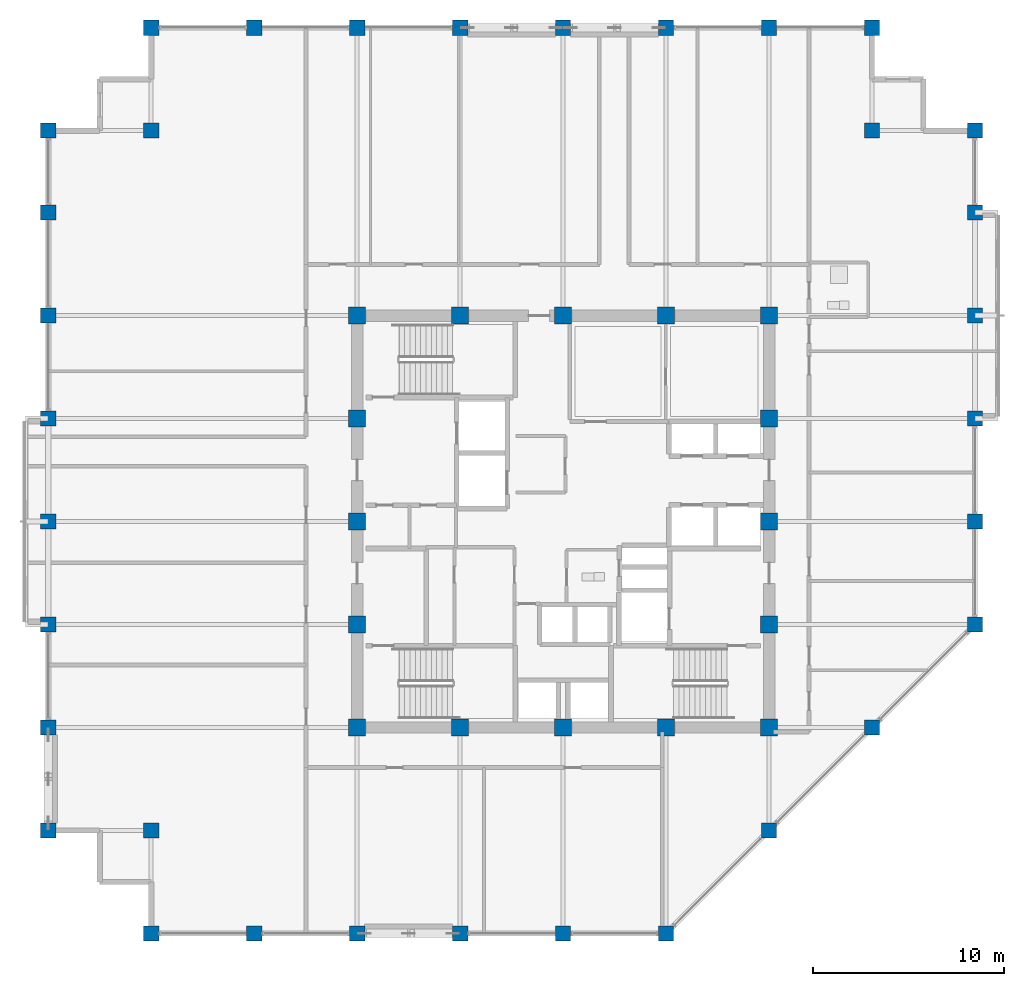
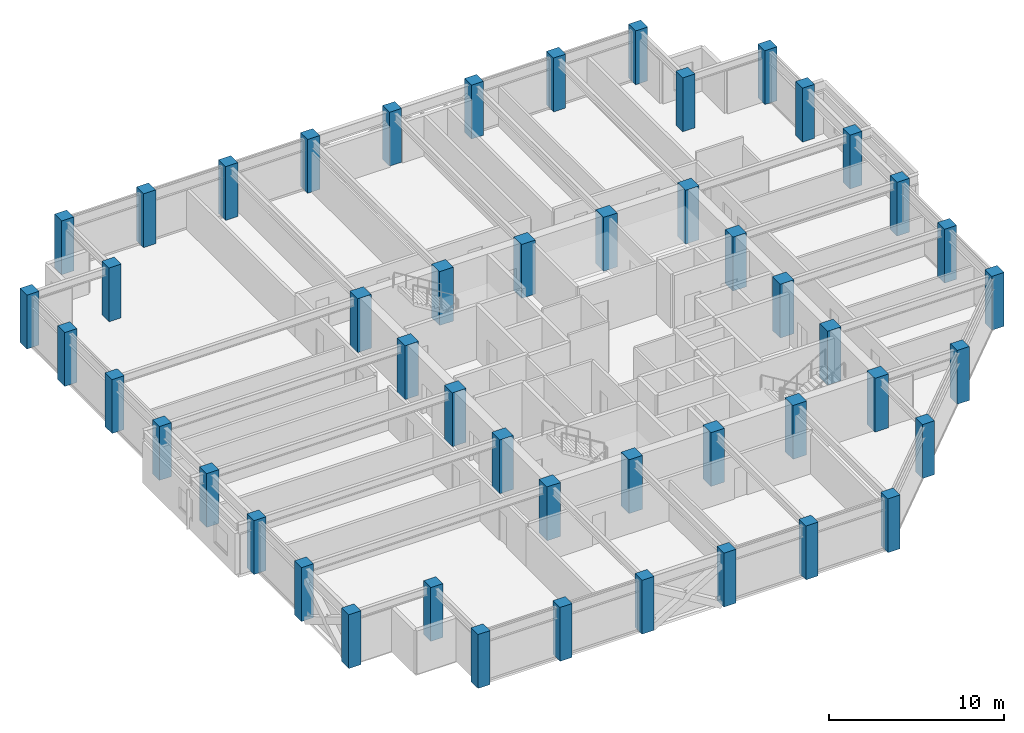
# One storey, part 1 of 30: 49 columns.
"""IFC4 building model written with IfcOpenShell, lengths in metres."""

from ifc_helpers import new_model, si_unit, direction, frame, origin, origin_2d, place, context, subcontext, project, spatial, rectangle, extrude, material, material_profile, profile_set, type_object, element, save


model = new_model("IFC4")

# Units and contexts
model_context = context("Model", 3, precision=1e-05, world=origin(), true_north=direction((0.0, 1.0)))
body_context = subcontext(model_context, "Body", "Model", "MODEL_VIEW")
ifc_project = project(units=[si_unit("LENGTHUNIT", "METRE"), si_unit("AREAUNIT", "SQUARE_METRE"), si_unit("VOLUMEUNIT", "CUBIC_METRE"), si_unit("PLANEANGLEUNIT", "RADIAN"), si_unit("MASSUNIT", "GRAM", prefix="KILO")], contexts=[model_context])

# Site, building, storey
site_placement = place(None, origin())
site = spatial("IfcSite", under=ifc_project, at=site_placement, CompositionType="ELEMENT")
building_placement = place(site_placement, origin())
building = spatial("IfcBuilding", under=site, at=building_placement, Name="Surkhivell Harbour Commons", CompositionType="ELEMENT")
storey_placement = place(building_placement, frame((0.0, 0.0, 227.25)))
storey = spatial("IfcBuildingStorey", under=building, at=storey_placement, Name="L59", CompositionType="ELEMENT", Elevation=227.25)

# Columns
ifc_material_1 = material(Name="Concrete C60/75", Category="concrete")
ifc_material_profile_1 = material_profile(ifc_material_1, rectangle(XDim=0.89990234375, YDim=0.89990234375, at=origin_2d()), Name="RC-COL-900x900")
ifc_profile_set_1 = profile_set([ifc_material_profile_1], Name="Concrete C60/75")
column_type_1 = type_object("IfcColumnType", Name="COL-TUBE-Z3A", PredefinedType="COLUMN", material=ifc_profile_set_1)
for number, where, z_axis, x_axis, name in (
    (1, (-10.800048828125, -10.800048828125, 0.0), (0.0, 0.0, 1.0), (1.0, 0.0, 0.0), "L59 Column CT-3A (-10.8,-10.8)"),
    (2, (-10.800048828125, -5.39990234375, 0.0), (0.0, 0.0, 1.0), (1.0, 0.0, 0.0), "L59 Column CT-3A (-10.8,-5.4)"),
    (3, (-10.800048828125, 0.0, 0.0), (0.0, 0.0, 1.0), (1.0, 0.0, 0.0), "L59 Column CT-3A (-10.8,0.0)"),
    (4, (-10.800048828125, 5.39990234375, 0.0), (0.0, 0.0, 1.0), (1.0, 0.0, 0.0), "L59 Column CT-3A (-10.8,5.4)"),
    (5, (-10.800048828125, 10.800048828125, 0.0), (0.0, 0.0, 1.0), (1.0, 0.0, 0.0), "L59 Column CT-3A (-10.8,10.8)"),
    (6, (-5.39990234375, -10.800048828125, 0.0), (0.0, 0.0, 1.0), (1.0, 0.0, 0.0), "L59 Column CT-3A (-5.4,-10.8)"),
    (7, (-5.39990234375, 10.800048828125, 0.0), (0.0, 0.0, 1.0), (1.0, 0.0, 0.0), "L59 Column CT-3A (-5.4,10.8)"),
    (8, (0.0, -10.800048828125, 0.0), (0.0, 0.0, 1.0), (1.0, 0.0, 0.0), "L59 Column CT-3A (0.0,-10.8)"),
    (9, (0.0, 10.800048828125, 0.0), (0.0, 0.0, 1.0), (1.0, 0.0, 0.0), "L59 Column CT-3A (0.0,10.8)"),
    (10, (5.39990234375, -10.800048828125, 0.0), (0.0, 0.0, 1.0), (1.0, 0.0, 0.0), "L59 Column CT-3A (5.4,-10.8)"),
    (11, (5.39990234375, 10.800048828125, 0.0), (0.0, 0.0, 1.0), (1.0, 0.0, 0.0), "L59 Column CT-3A (5.4,10.8)"),
    (12, (10.800048828125, -10.800048828125, 0.0), (0.0, 0.0, 1.0), (1.0, 0.0, 0.0), "L59 Column CT-3A (10.8,-10.8)"),
    (13, (10.800048828125, -5.39990234375, 0.0), (0.0, 0.0, 1.0), (1.0, 0.0, 0.0), "L59 Column CT-3A (10.8,-5.4)"),
    (14, (10.800048828125, 0.0, 0.0), (0.0, 0.0, 1.0), (1.0, 0.0, 0.0), "L59 Column CT-3A (10.8,0.0)"),
    (15, (10.800048828125, 5.39990234375, 0.0), (0.0, 0.0, 1.0), (1.0, 0.0, 0.0), "L59 Column CT-3A (10.8,5.4)"),
    (16, (10.800048828125, 10.800048828125, 0.0), (0.0, 0.0, 1.0), (1.0, 0.0, 0.0), "L59 Column CT-3A (10.8,10.8)"),
):
    element("IfcColumn", number, at=place(storey_placement, frame(where, z_axis=z_axis, x_axis=x_axis)), inside=storey, type_object=column_type_1, Name=name, PredefinedType="COLUMN", context=body_context, shape_type="SweptSolid", body=[
        extrude(rectangle(XDim=0.89990234375, YDim=0.89990234375, at=origin_2d()), origin(), (0.0, 0.0, 1.0), 3.75),
    ])
ifc_material_2 = material(Name="Concrete C50/60", Category="concrete")
ifc_material_profile_2 = material_profile(ifc_material_2, rectangle(XDim=0.800048828125, YDim=0.800048828125, at=origin_2d()), Name="RC-COL-800x800")
ifc_profile_set_2 = profile_set([ifc_material_profile_2], Name="Concrete C50/60")
column_type_2 = type_object("IfcColumnType", Name="COL-TUBE-Z3B", PredefinedType="COLUMN", material=ifc_profile_set_2)
for number, where, z_axis, x_axis, name in (
    (17, (-27.0, -16.199951171875, 0.0), (0.0, 0.0, 1.0), (1.0, 0.0, 0.0), "L59 Column CT-3B (-27.0,-16.2)"),
    (18, (-27.0, -10.800048828125, 0.0), (0.0, 0.0, 1.0), (1.0, 0.0, 0.0), "L59 Column CT-3B (-27.0,-10.8)"),
    (19, (-27.0, -5.39990234375, 0.0), (0.0, 0.0, 1.0), (1.0, 0.0, 0.0), "L59 Column CT-3B (-27.0,-5.4)"),
    (20, (-27.0, 0.0, 0.0), (0.0, 0.0, 1.0), (1.0, 0.0, 0.0), "L59 Column CT-3B (-27.0,0.0)"),
    (21, (-27.0, 5.39990234375, 0.0), (0.0, 0.0, 1.0), (1.0, 0.0, 0.0), "L59 Column CT-3B (-27.0,5.4)"),
    (22, (-27.0, 10.800048828125, 0.0), (0.0, 0.0, 1.0), (1.0, 0.0, 0.0), "L59 Column CT-3B (-27.0,10.8)"),
    (23, (-27.0, 16.199951171875, 0.0), (0.0, 0.0, 1.0), (1.0, 0.0, 0.0), "L59 Column CT-3B (-27.0,16.2)"),
    (24, (-27.0, 20.5, 0.0), (0.0, 0.0, 1.0), (1.0, 0.0, 0.0), "L59 Column CT-3B (-27.0,20.5)"),
    (25, (-21.60009765625, -21.60009765625, 0.0), (0.0, 0.0, 1.0), (1.0, 0.0, 0.0), "L59 Column CT-3B (-21.6,-21.6)"),
    (26, (-21.60009765625, -16.199951171875, 0.0), (0.0, 0.0, 1.0), (1.0, 0.0, 0.0), "L59 Column CT-3B (-21.6,-16.2)"),
    (27, (-21.60009765625, 20.5, 0.0), (0.0, 0.0, 1.0), (1.0, 0.0, 0.0), "L59 Column CT-3B (-21.6,20.5)"),
    (28, (-21.60009765625, 25.89990234375, 0.0), (0.0, 0.0, 1.0), (1.0, 0.0, 0.0), "L59 Column CT-3B (-21.6,25.9)"),
    (29, (-16.199951171875, -21.60009765625, 0.0), (0.0, 0.0, 1.0), (1.0, 0.0, 0.0), "L59 Column CT-3B (-16.2,-21.6)"),
    (30, (-16.199951171875, 25.89990234375, 0.0), (0.0, 0.0, 1.0), (1.0, 0.0, 0.0), "L59 Column CT-3B (-16.2,25.9)"),
    (31, (-10.800048828125, -21.60009765625, 0.0), (0.0, 0.0, 1.0), (1.0, 0.0, 0.0), "L59 Column CT-3B (-10.8,-21.6)"),
    (32, (-10.800048828125, 25.89990234375, 0.0), (0.0, 0.0, 1.0), (1.0, 0.0, 0.0), "L59 Column CT-3B (-10.8,25.9)"),
    (33, (-5.39990234375, -21.60009765625, 0.0), (0.0, 0.0, 1.0), (1.0, 0.0, 0.0), "L59 Column CT-3B (-5.4,-21.6)"),
    (34, (-5.39990234375, 25.89990234375, 0.0), (0.0, 0.0, 1.0), (1.0, 0.0, 0.0), "L59 Column CT-3B (-5.4,25.9)"),
    (35, (0.0, -21.60009765625, 0.0), (0.0, 0.0, 1.0), (1.0, 0.0, 0.0), "L59 Column CT-3B (-0.0,-21.6)"),
    (36, (0.0, 25.89990234375, 0.0), (0.0, 0.0, 1.0), (1.0, 0.0, 0.0), "L59 Column CT-3B (-0.0,25.9)"),
    (37, (5.39990234375, -21.60009765625, 0.0), (0.0, 0.0, 1.0), (1.0, 0.0, 0.0), "L59 Column CT-3B (5.4,-21.6)"),
    (38, (5.39990234375, 25.89990234375, 0.0), (0.0, 0.0, 1.0), (1.0, 0.0, 0.0), "L59 Column CT-3B (5.4,25.9)"),
    (39, (10.800048828125, -16.199951171875, 0.0), (0.0, 0.0, 1.0), (1.0, 0.0, 0.0), "L59 Column CT-3B (10.8,-16.2)"),
    (40, (10.800048828125, 25.89990234375, 0.0), (0.0, 0.0, 1.0), (1.0, 0.0, 0.0), "L59 Column CT-3B (10.8,25.9)"),
    (41, (16.199951171875, -10.800048828125, 0.0), (0.0, 0.0, 1.0), (1.0, 0.0, 0.0), "L59 Column CT-3B (16.2,-10.8)"),
    (42, (16.199951171875, 20.5, 0.0), (0.0, 0.0, 1.0), (1.0, 0.0, 0.0), "L59 Column CT-3B (16.2,20.5)"),
    (43, (16.199951171875, 25.89990234375, 0.0), (0.0, 0.0, 1.0), (1.0, 0.0, 0.0), "L59 Column CT-3B (16.2,25.9)"),
    (44, (21.60009765625, -5.39990234375, 0.0), (0.0, 0.0, 1.0), (1.0, 0.0, 0.0), "L59 Column CT-3B (21.6,-5.4)"),
    (45, (21.60009765625, 0.0, 0.0), (0.0, 0.0, 1.0), (1.0, 0.0, 0.0), "L59 Column CT-3B (21.6,0.0)"),
    (46, (21.60009765625, 5.39990234375, 0.0), (0.0, 0.0, 1.0), (1.0, 0.0, 0.0), "L59 Column CT-3B (21.6,5.4)"),
    (47, (21.60009765625, 10.800048828125, 0.0), (0.0, 0.0, 1.0), (1.0, 0.0, 0.0), "L59 Column CT-3B (21.6,10.8)"),
    (48, (21.60009765625, 16.199951171875, 0.0), (0.0, 0.0, 1.0), (1.0, 0.0, 0.0), "L59 Column CT-3B (21.6,16.2)"),
    (49, (21.60009765625, 20.5, 0.0), (0.0, 0.0, 1.0), (1.0, 0.0, 0.0), "L59 Column CT-3B (21.6,20.5)"),
):
    element("IfcColumn", number, at=place(storey_placement, frame(where, z_axis=z_axis, x_axis=x_axis)), inside=storey, type_object=column_type_2, Name=name, PredefinedType="COLUMN", context=body_context, shape_type="SweptSolid", body=[
        extrude(rectangle(XDim=0.800048828125, YDim=0.800048828125, at=origin_2d()), origin(), (0.0, 0.0, 1.0), 3.75),
    ])

save(model, "model.ifc")
